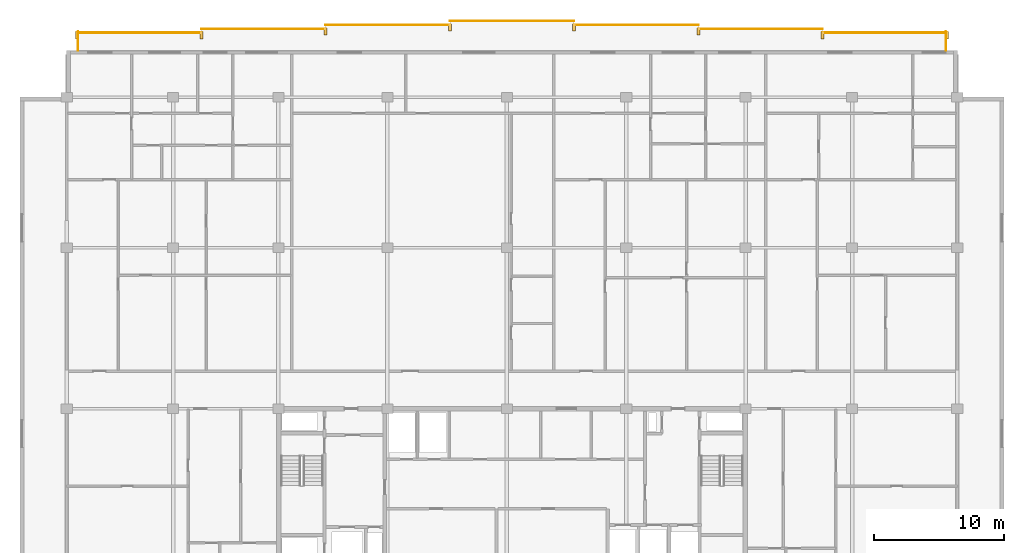
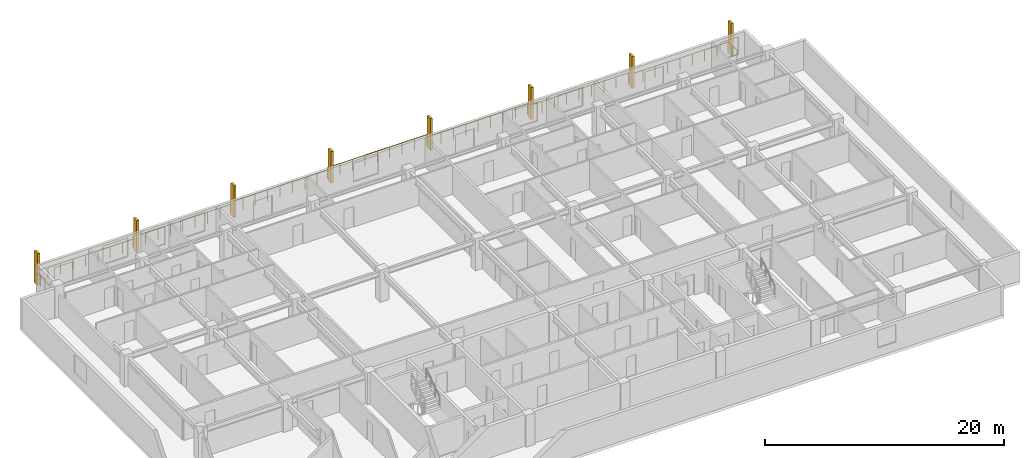
# One storey, part 11 of 11: 9 railings, 8 shading devices.
"""IFC4 building model written with IfcOpenShell, lengths in metres."""

from ifc_helpers import new_model, si_unit, direction, frame, origin, origin_2d, place, context, subcontext, project, spatial, rectangle, circle, extrude, material, type_object, element, save


model = new_model("IFC4")

# Units and contexts
model_context = context("Model", 3, precision=1e-05, world=origin(), true_north=direction((0.0, 1.0)))
body_context = subcontext(model_context, "Body", "Model", "MODEL_VIEW")
ifc_project = project(units=[si_unit("LENGTHUNIT", "METRE"), si_unit("AREAUNIT", "SQUARE_METRE"), si_unit("VOLUMEUNIT", "CUBIC_METRE"), si_unit("PLANEANGLEUNIT", "RADIAN"), si_unit("MASSUNIT", "GRAM", prefix="KILO")], contexts=[model_context])

# Site, building, storey
site_placement = place(None, origin())
site = spatial("IfcSite", under=ifc_project, at=site_placement, CompositionType="ELEMENT")
building_placement = place(site_placement, origin())
building = spatial("IfcBuilding", under=site, at=building_placement, Name="Korimba Cascade Residences", CompositionType="ELEMENT")
storey_placement = place(building_placement, frame((0.0, 0.0, 217.35009765625)))
storey = spatial("IfcBuildingStorey", under=building, at=storey_placement, Name="L63", CompositionType="ELEMENT", Elevation=217.35009765625)

# Railings
ifc_material_1 = material(Name="Laminated Glass and Bronze Balustrade", Category="glass")
railing_type = type_object("IfcRailingType", Name="RLG-LOG-1150", PredefinedType="BALUSTRADE", material=ifc_material_1)
railing_1_placement = place(storey_placement, frame((127.52001953125, 94.800048828125, 0.0)))
element("IfcRailing", 1, at=railing_1_placement, inside=storey, type_object=railing_type, Name="L63 Perimeter Guardrail RLG-L63-T1-LOG-01", PredefinedType="BALUSTRADE", context=body_context, shape_type="SweptSolid", body=[
    extrude(circle(Radius=0.02392578125, at=origin_2d()), frame((0.0, 0.0, 1.1259765625), z_axis=(0.0, 1.0, 0.0), x_axis=(-1.0, 0.0, 0.0)), (0.0, 0.0, 1.0), 1.449951171875),
    extrude(circle(Radius=0.02099609375, at=origin_2d()), origin(), (0.0, 0.0, 1.0), 1.101806640625),
    extrude(circle(Radius=0.02099609375, at=origin_2d()), frame((0.0, 0.72509765625, 0.0)), (0.0, 0.0, 1.0), 1.101806640625),
    extrude(circle(Radius=0.02099609375, at=origin_2d()), frame((0.0, 1.449951171875, 0.0)), (0.0, 0.0, 1.0), 1.101806640625),
])
for number, where, name in (
    (2, (127.60009765625, 96.169921875, 0.0), "L63 Perimeter Guardrail RLG-L63-T1-LOG-02"),
    (3, (118.028564453125, 96.469970703125, 0.0), "L63 Perimeter Guardrail RLG-L63-T1-LOG-03"),
):
    element("IfcRailing", number, at=place(storey_placement, frame(where)), inside=storey, type_object=railing_type, Name=name, PredefinedType="BALUSTRADE", context=body_context, shape_type="SweptSolid", body=[
        extrude(circle(Radius=0.02392578125, at=origin_2d()), frame((0.0, 0.0, 1.1259765625), z_axis=(-1.0, 0.0, 0.0), x_axis=(0.0, -1.0, 0.0)), (0.0, 0.0, 1.0), 9.571533203125),
        extrude(circle(Radius=0.02099609375, at=origin_2d()), origin(), (0.0, 0.0, 1.0), 1.101806640625),
        extrude(circle(Radius=0.02099609375, at=origin_2d()), frame((-1.196533203125, 0.0, 0.0)), (0.0, 0.0, 1.0), 1.101806640625),
        extrude(circle(Radius=0.02099609375, at=origin_2d()), frame((-2.392822265625, 0.0, 0.0)), (0.0, 0.0, 1.0), 1.101806640625),
        extrude(circle(Radius=0.02099609375, at=origin_2d()), frame((-3.58935546875, 0.0, 0.0)), (0.0, 0.0, 1.0), 1.101806640625),
        extrude(circle(Radius=0.02099609375, at=origin_2d()), frame((-4.78564453125, 0.0, 0.0)), (0.0, 0.0, 1.0), 1.101806640625),
        extrude(circle(Radius=0.02099609375, at=origin_2d()), frame((-5.982177734375, 0.0, 0.0)), (0.0, 0.0, 1.0), 1.101806640625),
        extrude(circle(Radius=0.02099609375, at=origin_2d()), frame((-7.1787109375, 0.0, 0.0)), (0.0, 0.0, 1.0), 1.101806640625),
        extrude(circle(Radius=0.02099609375, at=origin_2d()), frame((-8.375, 0.0, 0.0)), (0.0, 0.0, 1.0), 1.101806640625),
        extrude(circle(Radius=0.02099609375, at=origin_2d()), frame((-9.571533203125, 0.0, 0.0)), (0.0, 0.0, 1.0), 1.101806640625),
    ])
railing_2_placement = place(storey_placement, frame((108.45703125, 96.77001953125, 0.0)))
element("IfcRailing", 4, at=railing_2_placement, inside=storey, type_object=railing_type, Name="L63 Perimeter Guardrail RLG-L63-T1-LOG-04", PredefinedType="BALUSTRADE", context=body_context, shape_type="SweptSolid", body=[
    extrude(circle(Radius=0.02392578125, at=origin_2d()), frame((0.0, 0.0, 1.1259765625), z_axis=(-1.0, 0.0, 0.0), x_axis=(0.0, -1.0, 0.0)), (0.0, 0.0, 1.0), 9.5712890625),
    extrude(circle(Radius=0.02099609375, at=origin_2d()), origin(), (0.0, 0.0, 1.0), 1.101806640625),
    extrude(circle(Radius=0.02099609375, at=origin_2d()), frame((-1.1962890625, 0.0, 0.0)), (0.0, 0.0, 1.0), 1.101806640625),
    extrude(circle(Radius=0.02099609375, at=origin_2d()), frame((-2.392822265625, 0.0, 0.0)), (0.0, 0.0, 1.0), 1.101806640625),
    extrude(circle(Radius=0.02099609375, at=origin_2d()), frame((-3.58935546875, 0.0, 0.0)), (0.0, 0.0, 1.0), 1.101806640625),
    extrude(circle(Radius=0.02099609375, at=origin_2d()), frame((-4.78564453125, 0.0, 0.0)), (0.0, 0.0, 1.0), 1.101806640625),
    extrude(circle(Radius=0.02099609375, at=origin_2d()), frame((-5.98193359375, 0.0, 0.0)), (0.0, 0.0, 1.0), 1.101806640625),
    extrude(circle(Radius=0.02099609375, at=origin_2d()), frame((-7.178466796875, 0.0, 0.0)), (0.0, 0.0, 1.0), 1.101806640625),
    extrude(circle(Radius=0.02099609375, at=origin_2d()), frame((-8.375, 0.0, 0.0)), (0.0, 0.0, 1.0), 1.101806640625),
    extrude(circle(Radius=0.02099609375, at=origin_2d()), frame((-9.5712890625, 0.0, 0.0)), (0.0, 0.0, 1.0), 1.101806640625),
])
railing_3_placement = place(storey_placement, frame((98.8857421875, 97.070068359375, 0.0)))
element("IfcRailing", 5, at=railing_3_placement, inside=storey, type_object=railing_type, Name="L63 Perimeter Guardrail RLG-L63-T1-LOG-05", PredefinedType="BALUSTRADE", context=body_context, shape_type="SweptSolid", body=[
    extrude(circle(Radius=0.02392578125, at=origin_2d()), frame((0.0, 0.0, 1.1259765625), z_axis=(-1.0, 0.0, 0.0), x_axis=(0.0, -1.0, 0.0)), (0.0, 0.0, 1.0), 9.571533203125),
    extrude(circle(Radius=0.02099609375, at=origin_2d()), origin(), (0.0, 0.0, 1.0), 1.101806640625),
    extrude(circle(Radius=0.02099609375, at=origin_2d()), frame((-1.196533203125, 0.0, 0.0)), (0.0, 0.0, 1.0), 1.101806640625),
    extrude(circle(Radius=0.02099609375, at=origin_2d()), frame((-2.392822265625, 0.0, 0.0)), (0.0, 0.0, 1.0), 1.101806640625),
    extrude(circle(Radius=0.02099609375, at=origin_2d()), frame((-3.58935546875, 0.0, 0.0)), (0.0, 0.0, 1.0), 1.101806640625),
    extrude(circle(Radius=0.02099609375, at=origin_2d()), frame((-4.78564453125, 0.0, 0.0)), (0.0, 0.0, 1.0), 1.101806640625),
    extrude(circle(Radius=0.02099609375, at=origin_2d()), frame((-5.982177734375, 0.0, 0.0)), (0.0, 0.0, 1.0), 1.101806640625),
    extrude(circle(Radius=0.02099609375, at=origin_2d()), frame((-7.1787109375, 0.0, 0.0)), (0.0, 0.0, 1.0), 1.101806640625),
    extrude(circle(Radius=0.02099609375, at=origin_2d()), frame((-8.375, 0.0, 0.0)), (0.0, 0.0, 1.0), 1.101806640625),
    extrude(circle(Radius=0.02099609375, at=origin_2d()), frame((-9.571533203125, 0.0, 0.0)), (0.0, 0.0, 1.0), 1.101806640625),
])
railing_4_placement = place(storey_placement, frame((89.314208984375, 96.77001953125, 0.0)))
element("IfcRailing", 6, at=railing_4_placement, inside=storey, type_object=railing_type, Name="L63 Perimeter Guardrail RLG-L63-T1-LOG-06", PredefinedType="BALUSTRADE", context=body_context, shape_type="SweptSolid", body=[
    extrude(circle(Radius=0.02392578125, at=origin_2d()), frame((0.0, 0.0, 1.1259765625), z_axis=(-1.0, 0.0, 0.0), x_axis=(0.0, -1.0, 0.0)), (0.0, 0.0, 1.0), 9.5712890625),
    extrude(circle(Radius=0.02099609375, at=origin_2d()), origin(), (0.0, 0.0, 1.0), 1.101806640625),
    extrude(circle(Radius=0.02099609375, at=origin_2d()), frame((-1.1962890625, 0.0, 0.0)), (0.0, 0.0, 1.0), 1.101806640625),
    extrude(circle(Radius=0.02099609375, at=origin_2d()), frame((-2.392822265625, 0.0, 0.0)), (0.0, 0.0, 1.0), 1.101806640625),
    extrude(circle(Radius=0.02099609375, at=origin_2d()), frame((-3.58935546875, 0.0, 0.0)), (0.0, 0.0, 1.0), 1.101806640625),
    extrude(circle(Radius=0.02099609375, at=origin_2d()), frame((-4.78564453125, 0.0, 0.0)), (0.0, 0.0, 1.0), 1.101806640625),
    extrude(circle(Radius=0.02099609375, at=origin_2d()), frame((-5.98193359375, 0.0, 0.0)), (0.0, 0.0, 1.0), 1.101806640625),
    extrude(circle(Radius=0.02099609375, at=origin_2d()), frame((-7.178466796875, 0.0, 0.0)), (0.0, 0.0, 1.0), 1.101806640625),
    extrude(circle(Radius=0.02099609375, at=origin_2d()), frame((-8.375, 0.0, 0.0)), (0.0, 0.0, 1.0), 1.101806640625),
    extrude(circle(Radius=0.02099609375, at=origin_2d()), frame((-9.5712890625, 0.0, 0.0)), (0.0, 0.0, 1.0), 1.101806640625),
])
railing_5_placement = place(storey_placement, frame((79.742919921875, 96.469970703125, 0.0)))
element("IfcRailing", 7, at=railing_5_placement, inside=storey, type_object=railing_type, Name="L63 Perimeter Guardrail RLG-L63-T1-LOG-07", PredefinedType="BALUSTRADE", context=body_context, shape_type="SweptSolid", body=[
    extrude(circle(Radius=0.02392578125, at=origin_2d()), frame((0.0, 0.0, 1.1259765625), z_axis=(-1.0, 0.0, 0.0), x_axis=(0.0, -1.0, 0.0)), (0.0, 0.0, 1.0), 9.571533203125),
    extrude(circle(Radius=0.02099609375, at=origin_2d()), origin(), (0.0, 0.0, 1.0), 1.101806640625),
    extrude(circle(Radius=0.02099609375, at=origin_2d()), frame((-1.196533203125, 0.0, 0.0)), (0.0, 0.0, 1.0), 1.101806640625),
    extrude(circle(Radius=0.02099609375, at=origin_2d()), frame((-2.392822265625, 0.0, 0.0)), (0.0, 0.0, 1.0), 1.101806640625),
    extrude(circle(Radius=0.02099609375, at=origin_2d()), frame((-3.58935546875, 0.0, 0.0)), (0.0, 0.0, 1.0), 1.101806640625),
    extrude(circle(Radius=0.02099609375, at=origin_2d()), frame((-4.78564453125, 0.0, 0.0)), (0.0, 0.0, 1.0), 1.101806640625),
    extrude(circle(Radius=0.02099609375, at=origin_2d()), frame((-5.982177734375, 0.0, 0.0)), (0.0, 0.0, 1.0), 1.101806640625),
    extrude(circle(Radius=0.02099609375, at=origin_2d()), frame((-7.1787109375, 0.0, 0.0)), (0.0, 0.0, 1.0), 1.101806640625),
    extrude(circle(Radius=0.02099609375, at=origin_2d()), frame((-8.375, 0.0, 0.0)), (0.0, 0.0, 1.0), 1.101806640625),
    extrude(circle(Radius=0.02099609375, at=origin_2d()), frame((-9.571533203125, 0.0, 0.0)), (0.0, 0.0, 1.0), 1.101806640625),
])
railing_6_placement = place(storey_placement, frame((70.17138671875, 96.169921875, 0.0)))
element("IfcRailing", 8, at=railing_6_placement, inside=storey, type_object=railing_type, Name="L63 Perimeter Guardrail RLG-L63-T1-LOG-08", PredefinedType="BALUSTRADE", context=body_context, shape_type="SweptSolid", body=[
    extrude(circle(Radius=0.02392578125, at=origin_2d()), frame((0.0, 0.0, 1.1259765625), z_axis=(-1.0, 0.0, 0.0), x_axis=(0.0, -1.0, 0.0)), (0.0, 0.0, 1.0), 9.5712890625),
    extrude(circle(Radius=0.02099609375, at=origin_2d()), origin(), (0.0, 0.0, 1.0), 1.101806640625),
    extrude(circle(Radius=0.02099609375, at=origin_2d()), frame((-1.1962890625, 0.0, 0.0)), (0.0, 0.0, 1.0), 1.101806640625),
    extrude(circle(Radius=0.02099609375, at=origin_2d()), frame((-2.392822265625, 0.0, 0.0)), (0.0, 0.0, 1.0), 1.101806640625),
    extrude(circle(Radius=0.02099609375, at=origin_2d()), frame((-3.58935546875, 0.0, 0.0)), (0.0, 0.0, 1.0), 1.101806640625),
    extrude(circle(Radius=0.02099609375, at=origin_2d()), frame((-4.78564453125, 0.0, 0.0)), (0.0, 0.0, 1.0), 1.101806640625),
    extrude(circle(Radius=0.02099609375, at=origin_2d()), frame((-5.98193359375, 0.0, 0.0)), (0.0, 0.0, 1.0), 1.101806640625),
    extrude(circle(Radius=0.02099609375, at=origin_2d()), frame((-7.178466796875, 0.0, 0.0)), (0.0, 0.0, 1.0), 1.101806640625),
    extrude(circle(Radius=0.02099609375, at=origin_2d()), frame((-8.375, 0.0, 0.0)), (0.0, 0.0, 1.0), 1.101806640625),
    extrude(circle(Radius=0.02099609375, at=origin_2d()), frame((-9.5712890625, 0.0, 0.0)), (0.0, 0.0, 1.0), 1.101806640625),
])
railing_7_placement = place(storey_placement, frame((60.679931640625, 96.25, 0.0)))
element("IfcRailing", 9, at=railing_7_placement, inside=storey, type_object=railing_type, Name="L63 Perimeter Guardrail RLG-L63-T1-LOG-09", PredefinedType="BALUSTRADE", context=body_context, shape_type="SweptSolid", body=[
    extrude(circle(Radius=0.02392578125, at=origin_2d()), frame((0.0, 0.0, 1.1259765625), z_axis=(0.0, -1.0, 0.0), x_axis=(1.0, 0.0, 0.0)), (0.0, 0.0, 1.0), 1.449951171875),
    extrude(circle(Radius=0.02099609375, at=origin_2d()), origin(), (0.0, 0.0, 1.0), 1.101806640625),
    extrude(circle(Radius=0.02099609375, at=origin_2d()), frame((0.0, -0.72509765625, 0.0)), (0.0, 0.0, 1.0), 1.101806640625),
    extrude(circle(Radius=0.02099609375, at=origin_2d()), frame((0.0, -1.449951171875, 0.0)), (0.0, 0.0, 1.0), 1.101806640625),
])

# Shading devices
ifc_material_2 = material(Name="Honed Sandstone Precast Fin", Category="masonry")
shading_device_type = type_object("IfcShadingDeviceType", Name="SHD-FIN-550", PredefinedType="USERDEFINED", material=ifc_material_2)
for number, where, z_axis, x_axis, name in (
    (10, (60.60009765625, 95.97509765625, 0.0), (0.0, 0.0, 1.0), (1.0, 0.0, 0.0), "L63 T1 Warm-Stone Loggia Fin 1"),
    (11, (70.17138671875, 95.97509765625, 0.0), (0.0, 0.0, 1.0), (1.0, 0.0, 0.0), "L63 T1 Warm-Stone Loggia Fin 2"),
    (12, (79.742919921875, 96.27490234375, 0.0), (0.0, 0.0, 1.0), (1.0, 0.0, 0.0), "L63 T1 Warm-Stone Loggia Fin 3"),
    (13, (89.314208984375, 96.574951171875, 0.0), (0.0, 0.0, 1.0), (1.0, 0.0, 0.0), "L63 T1 Warm-Stone Loggia Fin 4"),
    (14, (98.8857421875, 96.574951171875, 0.0), (0.0, 0.0, 1.0), (1.0, 0.0, 0.0), "L63 T1 Warm-Stone Loggia Fin 5"),
    (15, (108.45703125, 96.27490234375, 0.0), (0.0, 0.0, 1.0), (1.0, 0.0, 0.0), "L63 T1 Warm-Stone Loggia Fin 6"),
    (16, (118.028564453125, 95.97509765625, 0.0), (0.0, 0.0, 1.0), (1.0, 0.0, 0.0), "L63 T1 Warm-Stone Loggia Fin 7"),
    (17, (127.60009765625, 95.97509765625, 0.0), (0.0, 0.0, 1.0), (1.0, 0.0, 0.0), "L63 T1 Warm-Stone Loggia Fin 8"),
):
    element("IfcShadingDevice", number, at=place(storey_placement, frame(where, z_axis=z_axis, x_axis=x_axis)), inside=storey, type_object=shading_device_type, Name=name, ObjectType="FIN", PredefinedType="USERDEFINED", context=body_context, shape_type="SweptSolid", body=[
        extrude(rectangle(XDim=0.219970703125, YDim=0.550048828125, at=origin_2d()), origin(), (0.0, 0.0, 1.0), 3.25),
    ])

save(model, "model.ifc")
